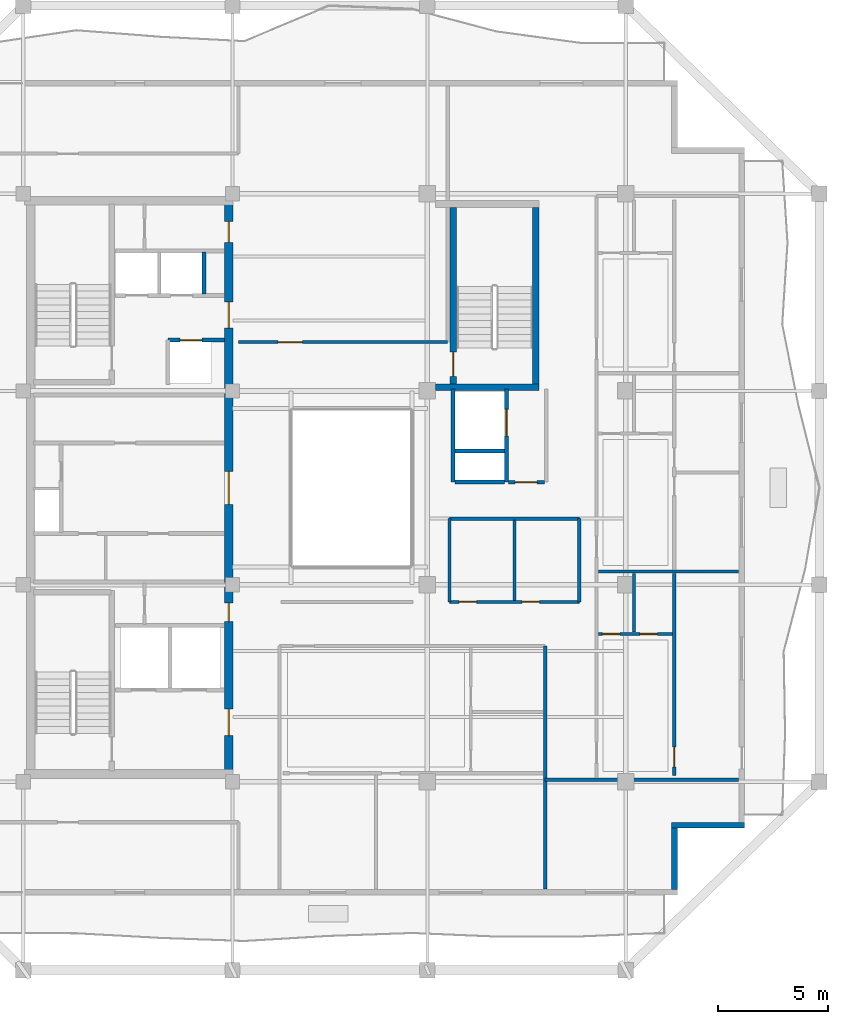
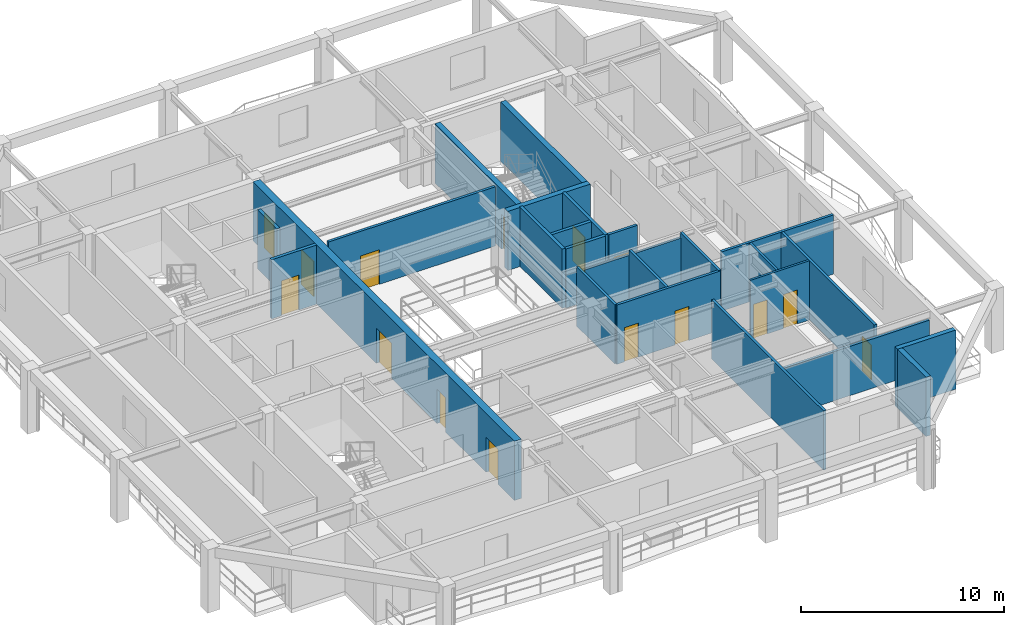
# One storey, part 4 of 10: 25 walls, 15 doors, 15 openings.
"""IFC4 building model written with IfcOpenShell, lengths in metres."""

from ifc_helpers import new_model, si_unit, direction, frame, frame_2d, origin, place, context, subcontext, project, spatial, rectangle, extrude, material, layer, layer_set, type_object, element, fill, save


model = new_model("IFC4")

# Units and contexts
model_context = context("Model", 3, precision=1e-05, world=origin(), true_north=direction((0.0, 1.0)))
body_context = subcontext(model_context, "Body", "Model", "MODEL_VIEW")
ifc_project = project(units=[si_unit("LENGTHUNIT", "METRE"), si_unit("AREAUNIT", "SQUARE_METRE"), si_unit("VOLUMEUNIT", "CUBIC_METRE"), si_unit("PLANEANGLEUNIT", "RADIAN"), si_unit("MASSUNIT", "GRAM", prefix="KILO")], contexts=[model_context])

# Site, building, storey
site_placement = place(None, origin())
site = spatial("IfcSite", under=ifc_project, at=site_placement, CompositionType="ELEMENT")
building_placement = place(site_placement, origin())
building = spatial("IfcBuilding", under=site, at=building_placement, Name="Kundavana Baori Tower", CompositionType="ELEMENT")
storey_placement = place(building_placement, frame((0.0, 0.0, 312.5)))
storey = spatial("IfcBuildingStorey", under=building, at=storey_placement, Name="L77", CompositionType="ELEMENT", Elevation=312.5)

# Wall, openings, doors
ifc_material_1 = material(Name="Concrete C50/60", Category="concrete")
ifc_layer_1 = layer(ifc_material_1, 0.39990234375, Name="WL-CORE-400")
ifc_layer_set_1 = layer_set([ifc_layer_1], Name="Concrete C50/60")
wall_type_1 = type_object("IfcWallType", Name="WL-CORE-400", PredefinedType="SHEAR", material=ifc_layer_set_1)
wall_1_placement = place(storey_placement, frame((24.780029296875, 15.739990234375, 0.0), z_axis=(0.0, 0.0, 1.0), x_axis=(0.0, 1.0, 0.0)))
wall_1 = element("IfcWall", 1, at=wall_1_placement, inside=storey, type_object=wall_type_1, Name="L77 Offset Core East Shear Wall", PredefinedType="SHEAR", context=body_context, shape_type="SweptSolid", body=[
    extrude(rectangle(XDim=25.760009765625, YDim=0.39990234375, at=frame_2d((12.8798828125, 0.0))), origin(), (0.0, 0.0, 1.0), 3.56005859375),
])
opening_1_placement = place(wall_1_placement, frame((1.610107421875, 0.0, 0.0)))
opening_1 = element("IfcOpeningElement", 2, at=opening_1_placement, cuts=wall_1, Name="Opening FD-120", PredefinedType="OPENING", context=body_context, shape_type="SweptSolid", body=[
    extrude(rectangle(XDim=1.199951171875, YDim=2.10009765625, at=frame_2d((0.60009765625, 1.050048828125))), frame((0.0, 0.2099609375, 0.0), z_axis=(0.0, -1.0, 0.0), x_axis=(1.0, 0.0, 0.0)), (0.0, 0.0, 1.0), 0.419921875),
])
opening_2_placement = place(wall_1_placement, frame((6.780029296875, 0.0, 0.0)))
opening_2 = element("IfcOpeningElement", 3, at=opening_2_placement, cuts=wall_1, Name="Opening FD-085", PredefinedType="OPENING", context=body_context, shape_type="SweptSolid", body=[
    extrude(rectangle(XDim=0.85009765625, YDim=2.06005859375, at=frame_2d((0.425048828125, 1.030029296875))), frame((0.0, 0.2099609375, 0.0), z_axis=(0.0, -1.0, 0.0), x_axis=(1.0, 0.0, 0.0)), (0.0, 0.0, 1.0), 0.419921875),
])
opening_3_placement = place(wall_1_placement, frame((12.110107421875, 0.0, 0.0)))
opening_3 = element("IfcOpeningElement", 4, at=opening_3_placement, cuts=wall_1, Name="Opening FD-150", PredefinedType="OPENING", context=body_context, shape_type="SweptSolid", body=[
    extrude(rectangle(XDim=1.5, YDim=2.1201171875, at=frame_2d((0.75, 1.06005859375))), frame((0.0, 0.2099609375, 0.0), z_axis=(0.0, -1.0, 0.0), x_axis=(1.0, 0.0, 0.0)), (0.0, 0.0, 1.0), 0.419921875),
])
opening_4_placement = place(wall_1_placement, frame((20.110107421875, 0.0, 0.0)))
opening_4 = element("IfcOpeningElement", 5, at=opening_4_placement, cuts=wall_1, Name="Opening FD-122", PredefinedType="OPENING", context=body_context, shape_type="SweptSolid", body=[
    extrude(rectangle(XDim=1.199951171875, YDim=2.1201171875, at=frame_2d((0.60009765625, 1.06005859375))), frame((0.0, 0.2099609375, 0.0), z_axis=(0.0, -1.0, 0.0), x_axis=(1.0, 0.0, 0.0)), (0.0, 0.0, 1.0), 0.419921875),
])
opening_5_placement = place(wall_1_placement, frame((24.010009765625, 0.0, 0.0)))
opening_5 = element("IfcOpeningElement", 6, at=opening_5_placement, cuts=wall_1, Name="Opening FD-095", PredefinedType="OPENING", context=body_context, shape_type="SweptSolid", body=[
    extrude(rectangle(XDim=0.949951171875, YDim=2.10009765625, at=frame_2d((0.47509765625, 1.050048828125))), frame((0.0, 0.2099609375, 0.0), z_axis=(0.0, -1.0, 0.0), x_axis=(1.0, 0.0, 0.0)), (0.0, 0.0, 1.0), 0.419921875),
])
ifc_material_2 = material(Name="Galvanised Steel Fire-Rated Door Leaf", Category="steel")
door_type_1 = type_object("IfcDoorType", Name="DR-FD120-1200", OperationType="NOTDEFINED", PredefinedType="DOOR", material=ifc_material_2)
door_1_placement = place(opening_1_placement, frame((1.199951171875, 0.0, 0.0), z_axis=(0.0, 0.0, 1.0), x_axis=(-1.0, 0.0, 0.0)))
door_1 = element("IfcDoor", 7, at=door_1_placement, inside=storey, type_object=door_type_1, Name="DR-L77-FFLOB-E", OperationType="SINGLE_SWING_RIGHT", OverallHeight=2.10009765625, OverallWidth=1.199951171875, PredefinedType="DOOR", context=body_context, shape_type="SweptSolid", body=[
    extrude(rectangle(XDim=1.199951171875, YDim=2.10009765625, at=frame_2d((0.60009765625, 1.050048828125))), frame((0.0, 0.02490234375, 0.0), z_axis=(0.0, -1.0, 0.0), x_axis=(1.0, 0.0, 0.0)), (0.0, 0.0, 1.0), 0.050048828125),
])
fill(opening_1, door_1)
ifc_material_3 = material(Name="Galvanised Steel Fire-Rated Door Leaf", Category="steel")
door_type_2 = type_object("IfcDoorType", Name="DR-FD60-1200", OperationType="NOTDEFINED", PredefinedType="DOOR", material=ifc_material_3)
door_2_placement = place(opening_4_placement, frame((1.199951171875, 0.0, 0.0), z_axis=(0.0, 0.0, 1.0), x_axis=(-1.0, 0.0, 0.0)))
door_2 = element("IfcDoor", 8, at=door_2_placement, inside=storey, type_object=door_type_2, Name="DR-L77-HRLOB-E", OperationType="SINGLE_SWING_RIGHT", OverallHeight=2.1201171875, OverallWidth=1.199951171875, PredefinedType="DOOR", context=body_context, shape_type="SweptSolid", body=[
    extrude(rectangle(XDim=1.199951171875, YDim=2.1201171875, at=frame_2d((0.60009765625, 1.06005859375))), frame((0.0, 0.02490234375, 0.0), z_axis=(0.0, -1.0, 0.0), x_axis=(1.0, 0.0, 0.0)), (0.0, 0.0, 1.0), 0.050048828125),
])
fill(opening_4, door_2)
ifc_material_4 = material(Name="Galvanised Steel Fire-Rated Door Leaf", Category="steel")
door_type_3 = type_object("IfcDoorType", Name="DR-FD60-1500", OperationType="NOTDEFINED", PredefinedType="DOOR", material=ifc_material_4)
door_3_placement = place(opening_3_placement, frame((1.5, 0.0, 0.0), z_axis=(0.0, 0.0, 1.0), x_axis=(-1.0, 0.0, 0.0)))
door_3 = element("IfcDoor", 9, at=door_3_placement, inside=storey, type_object=door_type_3, Name="DR-L77-LIFTHALL-E", OperationType="SINGLE_SWING_LEFT", OverallHeight=2.1201171875, OverallWidth=1.5, PredefinedType="DOOR", context=body_context, shape_type="SweptSolid", body=[
    extrude(rectangle(XDim=1.5, YDim=2.1201171875, at=frame_2d((0.75, 1.06005859375))), frame((0.0, 0.02490234375, 0.0), z_axis=(0.0, -1.0, 0.0), x_axis=(1.0, 0.0, 0.0)), (0.0, 0.0, 1.0), 0.050048828125),
])
fill(opening_3, door_3)
ifc_material_5 = material(Name="Galvanised Steel Fire-Rated Door Leaf", Category="steel")
door_type_4 = type_object("IfcDoorType", Name="DR-FD60-850", OperationType="NOTDEFINED", PredefinedType="DOOR", material=ifc_material_5)
door_4_placement = place(opening_2_placement, frame((0.85009765625, 0.0, 0.0), z_axis=(0.0, 0.0, 1.0), x_axis=(-1.0, 0.0, 0.0)))
door_4 = element("IfcDoor", 10, at=door_4_placement, inside=storey, type_object=door_type_4, Name="DR-L77-CSMK2", OperationType="SINGLE_SWING_LEFT", OverallHeight=2.06005859375, OverallWidth=0.85009765625, PredefinedType="DOOR", context=body_context, shape_type="SweptSolid", body=[
    extrude(rectangle(XDim=0.85009765625, YDim=2.06005859375, at=frame_2d((0.425048828125, 1.030029296875))), frame((0.0, 0.02490234375, 0.0), z_axis=(0.0, -1.0, 0.0), x_axis=(1.0, 0.0, 0.0)), (0.0, 0.0, 1.0), 0.050048828125),
])
fill(opening_2, door_4)
ifc_material_6 = material(Name="Engineered Teak Fire-Rated Timber Door Leaf", Category="wood")
door_type_5 = type_object("IfcDoorType", Name="DR-FD60-950", OperationType="NOTDEFINED", PredefinedType="DOOR", material=ifc_material_6)
door_5_placement = place(opening_5_placement, frame((0.949951171875, 0.0, 0.0), z_axis=(0.0, 0.0, 1.0), x_axis=(-1.0, 0.0, 0.0)))
door_5 = element("IfcDoor", 11, at=door_5_placement, inside=storey, type_object=door_type_5, Name="DR-L77-CSRV2", OperationType="SINGLE_SWING_LEFT", OverallHeight=2.10009765625, OverallWidth=0.949951171875, PredefinedType="DOOR", context=body_context, shape_type="SweptSolid", body=[
    extrude(rectangle(XDim=0.949951171875, YDim=2.10009765625, at=frame_2d((0.47509765625, 1.050048828125))), frame((0.0, 0.02490234375, 0.0), z_axis=(0.0, -1.0, 0.0), x_axis=(1.0, 0.0, 0.0)), (0.0, 0.0, 1.0), 0.050048828125),
])
fill(opening_5, door_5)

# Walls
ifc_material_7 = material(Name="Kiln-Fired Terracotta Brick-Slip Masonry on Concrete C40/50", Category="masonry")
ifc_layer_2 = layer(ifc_material_7, 0.260009765625, Name="WL-EXT-BRK-260")
ifc_layer_set_2 = layer_set([ifc_layer_2], Name="Kiln-Fired Terracotta Brick-Slip Masonry on Concrete C40/50")
wall_type_2 = type_object("IfcWallType", Name="WL-EXT-BRK-260", PredefinedType="SOLIDWALL", material=ifc_layer_set_2)
wall_2_placement = place(storey_placement, frame((45.02001953125, 10.360107421875, 0.0), z_axis=(0.0, 0.0, 1.0), x_axis=(0.0, 1.0, 0.0)))
element("IfcWall", 12, at=wall_2_placement, inside=storey, type_object=wall_type_2, Name="L77 Exterior Insulated Facade Wall 02", PredefinedType="SOLIDWALL", context=body_context, shape_type="SweptSolid", body=[
    extrude(rectangle(XDim=2.789794921875, YDim=0.260009765625, at=frame_2d((1.39501953125, 0.0))), origin(), (0.0, 0.0, 1.0), 3.56005859375),
])
wall_3_placement = place(storey_placement, frame((44.889892578125, 13.280029296875, 0.0), z_axis=(0.0, 0.0, 1.0), x_axis=(1.0, 0.0, 0.0)))
element("IfcWall", 13, at=wall_3_placement, inside=storey, type_object=wall_type_2, Name="L77 Exterior Insulated Facade Wall 03", PredefinedType="SOLIDWALL", context=body_context, shape_type="SweptSolid", body=[
    extrude(rectangle(XDim=3.31005859375, YDim=0.260009765625, at=frame_2d((1.655029296875, 0.0))), origin(), (0.0, 0.0, 1.0), 3.56005859375),
])

# Wall, opening, door
ifc_material_8 = material(Name="Fire-Rated Gypsum Drywall on Galvanised Steel Studs", Category="steel")
ifc_layer_3 = layer(ifc_material_8, 0.14990234375, Name="WL-PART-150")
ifc_layer_set_3 = layer_set([ifc_layer_3], Name="Fire-Rated Gypsum Drywall on Galvanised Steel Studs")
wall_type_3 = type_object("IfcWallType", Name="WL-PART-150", PredefinedType="PARTITIONING", material=ifc_layer_set_3)
wall_4_placement = place(storey_placement, frame((37.47998046875, 28.860107421875, 0.0), z_axis=(0.0, 0.0, 1.0), x_axis=(1.0, 0.0, 0.0)))
wall_4 = element("IfcWall", 14, at=wall_4_placement, inside=storey, type_object=wall_type_3, Name="WL-L77-SVLOB-S", PredefinedType="PARTITIONING", context=body_context, shape_type="SweptSolid", body=[
    extrude(rectangle(XDim=1.64013671875, YDim=0.14990234375, at=frame_2d((0.820068359375, 0.0))), origin(), (0.0, 0.0, 1.0), 3.56005859375),
])
opening_6_placement = place(wall_4_placement, frame((0.300048828125, 0.0, 0.0)))
opening_6 = element("IfcOpeningElement", 15, at=opening_6_placement, cuts=wall_4, Name="Opening FD-100", PredefinedType="OPENING", context=body_context, shape_type="SweptSolid", body=[
    extrude(rectangle(XDim=1.0, YDim=2.10009765625, at=frame_2d((0.5, 1.050048828125))), frame((0.0, 0.0849609375, 0.0), z_axis=(0.0, -1.0, 0.0), x_axis=(1.0, 0.0, 0.0)), (0.0, 0.0, 1.0), 0.169921875),
])
ifc_material_9 = material(Name="Engineered Teak Fire-Rated Timber Door Leaf", Category="wood")
door_type_6 = type_object("IfcDoorType", Name="DR-FD60-1000", OperationType="NOTDEFINED", PredefinedType="DOOR", material=ifc_material_9)
door_6_placement = place(opening_6_placement, origin())
door_6 = element("IfcDoor", 16, at=door_6_placement, inside=storey, type_object=door_type_6, Name="DR-L77-SVLOB-OUT", OperationType="SINGLE_SWING_LEFT", OverallHeight=2.10009765625, OverallWidth=1.0, PredefinedType="DOOR", context=body_context, shape_type="SweptSolid", body=[
    extrude(rectangle(XDim=1.0, YDim=2.10009765625, at=frame_2d((0.5, 1.050048828125))), frame((0.0, 0.02490234375, 0.0), z_axis=(0.0, -1.0, 0.0), x_axis=(1.0, 0.0, 0.0)), (0.0, 0.0, 1.0), 0.050048828125),
])
fill(opening_6, door_6)

wall_5_placement = place(storey_placement, frame((25.219970703125, 35.219970703125, 0.0), z_axis=(0.0, 0.0, 1.0), x_axis=(1.0, 0.0, 0.0)))
wall_5 = element("IfcWall", 17, at=wall_5_placement, inside=storey, type_object=wall_type_3, Name="WL-L77-RN", PredefinedType="PARTITIONING", context=body_context, shape_type="SweptSolid", body=[
    extrude(rectangle(XDim=9.5, YDim=0.14990234375, at=frame_2d((4.75, 0.0))), origin(), (0.0, 0.0, 1.0), 3.56005859375),
])
opening_7_placement = place(wall_5_placement, frame((1.800048828125, 0.0, 0.0)))
opening_7 = element("IfcOpeningElement", 18, at=opening_7_placement, cuts=wall_5, Name="Opening ID-110", PredefinedType="OPENING", context=body_context, shape_type="SweptSolid", body=[
    extrude(rectangle(XDim=1.10009765625, YDim=2.080078125, at=frame_2d((0.550048828125, 1.0400390625))), frame((0.0, 0.0849609375, 0.0), z_axis=(0.0, -1.0, 0.0), x_axis=(1.0, 0.0, 0.0)), (0.0, 0.0, 1.0), 0.169921875),
])
ifc_material_10 = material(Name="Engineered Teak Solid-Core Timber Veneer", Category="wood")
door_type_7 = type_object("IfcDoorType", Name="DR-INT-1100", OperationType="NOTDEFINED", PredefinedType="DOOR", material=ifc_material_10)
door_7_placement = place(opening_7_placement, origin())
door_7 = element("IfcDoor", 19, at=door_7_placement, inside=storey, type_object=door_type_7, Name="DR-L77-RLNGN", OperationType="SINGLE_SWING_RIGHT", OverallHeight=2.080078125, OverallWidth=1.10009765625, PredefinedType="DOOR", context=body_context, shape_type="SweptSolid", body=[
    extrude(rectangle(XDim=1.10009765625, YDim=2.080078125, at=frame_2d((0.550048828125, 1.0400390625))), frame((0.0, 0.02490234375, 0.0), z_axis=(0.0, -1.0, 0.0), x_axis=(1.0, 0.0, 0.0)), (0.0, 0.0, 1.0), 0.050048828125),
])
fill(opening_7, door_7)

# Walls
wall_6_placement = place(storey_placement, frame((39.14990234375, 10.3798828125, 0.0), z_axis=(0.0, 0.0, 1.0), x_axis=(0.0, 1.0, 0.0)))
element("IfcWall", 20, at=wall_6_placement, inside=storey, type_object=wall_type_3, Name="WL-L77-RSEND", PredefinedType="PARTITIONING", context=body_context, shape_type="SweptSolid", body=[
    extrude(rectangle(XDim=11.0400390625, YDim=0.14990234375, at=frame_2d((5.52001953125, 0.0))), origin(), (0.0, 0.0, 1.0), 3.56005859375),
])
wall_7_placement = place(storey_placement, frame((39.14990234375, 15.35009765625, 0.0), z_axis=(0.0, 0.0, 1.0), x_axis=(1.0, 0.0, 0.0)))
element("IfcWall", 21, at=wall_7_placement, inside=storey, type_object=wall_type_3, Name="WL-L77-RES", PredefinedType="PARTITIONING", context=body_context, shape_type="SweptSolid", body=[
    extrude(rectangle(XDim=8.77001953125, YDim=0.14990234375, at=frame_2d((4.385009765625, 0.0))), origin(), (0.0, 0.0, 1.0), 2.9599609375),
])

# Wall, opening, door
wall_8_placement = place(storey_placement, frame((45.00390625, 15.530029296875, 0.0), z_axis=(0.0, 0.0, 1.0), x_axis=(0.0, 1.0, 0.0)))
wall_8 = element("IfcWall", 22, at=wall_8_placement, inside=storey, type_object=wall_type_3, Name="WL-L77-E1-VT", PredefinedType="PARTITIONING", context=body_context, shape_type="SweptSolid", body=[
    extrude(rectangle(XDim=9.18994140625, YDim=0.14990234375, at=frame_2d((4.594970703125, 0.0))), origin(), (0.0, 0.0, 1.0), 3.56005859375),
])
opening_8_placement = place(wall_8_placement, frame((0.39990234375, 0.0, 0.0)))
opening_8 = element("IfcOpeningElement", 23, at=opening_8_placement, cuts=wall_8, Name="Opening ID-090", PredefinedType="OPENING", context=body_context, shape_type="SweptSolid", body=[
    extrude(rectangle(XDim=0.89990234375, YDim=2.080078125, at=frame_2d((0.449951171875, 1.0400390625))), frame((0.0, 0.0849609375, 0.0), z_axis=(0.0, -1.0, 0.0), x_axis=(1.0, 0.0, 0.0)), (0.0, 0.0, 1.0), 0.169921875),
])
ifc_material_11 = material(Name="Engineered Teak Solid-Core Timber Veneer", Category="wood")
door_type_8 = type_object("IfcDoorType", Name="DR-INT-900", OperationType="NOTDEFINED", PredefinedType="DOOR", material=ifc_material_11)
door_8_placement = place(opening_8_placement, origin())
door_8 = element("IfcDoor", 24, at=door_8_placement, inside=storey, type_object=door_type_8, Name="DR-L77-E1-B1", OperationType="SINGLE_SWING_LEFT", OverallHeight=2.080078125, OverallWidth=0.89990234375, PredefinedType="DOOR", context=body_context, shape_type="SweptSolid", body=[
    extrude(rectangle(XDim=0.89990234375, YDim=2.080078125, at=frame_2d((0.449951171875, 1.0400390625))), frame((0.0, 0.02490234375, 0.0), z_axis=(0.0, -1.0, 0.0), x_axis=(1.0, 0.0, 0.0)), (0.0, 0.0, 1.0), 0.050048828125),
])
fill(opening_8, door_8)

# Wall
wall_9_placement = place(storey_placement, frame((41.56005859375, 24.800048828125, 0.0), z_axis=(0.0, 0.0, 1.0), x_axis=(1.0, 0.0, 0.0)))
element("IfcWall", 25, at=wall_9_placement, inside=storey, type_object=wall_type_3, Name="WL-L77-RED1", PredefinedType="PARTITIONING", context=body_context, shape_type="SweptSolid", body=[
    extrude(rectangle(XDim=6.35986328125, YDim=0.14990234375, at=frame_2d((3.179931640625, 0.0))), origin(), (0.0, 0.0, 1.0), 3.56005859375),
])

# Wall, openings, doors
wall_10_placement = place(storey_placement, frame((34.800048828125, 23.419921875, 0.0), z_axis=(0.0, 0.0, 1.0), x_axis=(1.0, 0.0, 0.0)))
wall_10 = element("IfcWall", 26, at=wall_10_placement, inside=storey, type_object=wall_type_3, Name="WL-L77-ALS", PredefinedType="PARTITIONING", context=body_context, shape_type="SweptSolid", body=[
    extrude(rectangle(XDim=5.89990234375, YDim=0.14990234375, at=frame_2d((2.949951171875, 0.0))), origin(), (0.0, 0.0, 1.0), 3.56005859375),
])
opening_9_placement = place(wall_10_placement, frame((0.429931640625, 0.0, 0.0)))
opening_9 = element("IfcOpeningElement", 27, at=opening_9_placement, cuts=wall_10, Name="Opening WD-080", PredefinedType="OPENING", context=body_context, shape_type="SweptSolid", body=[
    extrude(rectangle(XDim=0.800048828125, YDim=2.050048828125, at=frame_2d((0.39990234375, 1.02490234375))), frame((0.0, 0.0849609375, 0.0), z_axis=(0.0, -1.0, 0.0), x_axis=(1.0, 0.0, 0.0)), (0.0, 0.0, 1.0), 0.169921875),
])
opening_10_placement = place(wall_10_placement, frame((3.300048828125, 0.0, 0.0)))
opening_10 = element("IfcOpeningElement", 28, at=opening_10_placement, cuts=wall_10, Name="Opening WD-080", PredefinedType="OPENING", context=body_context, shape_type="SweptSolid", body=[
    extrude(rectangle(XDim=0.800048828125, YDim=2.050048828125, at=frame_2d((0.39990234375, 1.02490234375))), frame((0.0, 0.0849609375, 0.0), z_axis=(0.0, -1.0, 0.0), x_axis=(1.0, 0.0, 0.0)), (0.0, 0.0, 1.0), 0.169921875),
])
ifc_material_12 = material(Name="Engineered Teak Solid-Core Timber Veneer", Category="wood")
door_type_9 = type_object("IfcDoorType", Name="DR-WET-800", OperationType="NOTDEFINED", PredefinedType="DOOR", material=ifc_material_12)
door_9_placement = place(opening_9_placement, origin())
door_9 = element("IfcDoor", 29, at=door_9_placement, inside=storey, type_object=door_type_9, Name="DR-L77-RALC1", OperationType="SINGLE_SWING_LEFT", OverallHeight=2.050048828125, OverallWidth=0.800048828125, PredefinedType="DOOR", context=body_context, shape_type="SweptSolid", body=[
    extrude(rectangle(XDim=0.800048828125, YDim=2.050048828125, at=frame_2d((0.39990234375, 1.02490234375))), frame((0.0, 0.02490234375, 0.0), z_axis=(0.0, -1.0, 0.0), x_axis=(1.0, 0.0, 0.0)), (0.0, 0.0, 1.0), 0.050048828125),
])
fill(opening_9, door_9)
door_10_placement = place(opening_10_placement, origin())
door_10 = element("IfcDoor", 30, at=door_10_placement, inside=storey, type_object=door_type_9, Name="DR-L77-RALC2", OperationType="SINGLE_SWING_LEFT", OverallHeight=2.050048828125, OverallWidth=0.800048828125, PredefinedType="DOOR", context=body_context, shape_type="SweptSolid", body=[
    extrude(rectangle(XDim=0.800048828125, YDim=2.050048828125, at=frame_2d((0.39990234375, 1.02490234375))), frame((0.0, 0.02490234375, 0.0), z_axis=(0.0, -1.0, 0.0), x_axis=(1.0, 0.0, 0.0)), (0.0, 0.0, 1.0), 0.050048828125),
])
fill(opening_10, door_10)

# Walls
wall_11_placement = place(storey_placement, frame((34.800048828125, 27.199951171875, 0.0), z_axis=(0.0, 0.0, 1.0), x_axis=(1.0, 0.0, 0.0)))
element("IfcWall", 31, at=wall_11_placement, inside=storey, type_object=wall_type_3, Name="WL-L77-ALN", PredefinedType="PARTITIONING", context=body_context, shape_type="SweptSolid", body=[
    extrude(rectangle(XDim=5.89990234375, YDim=0.14990234375, at=frame_2d((2.949951171875, 0.0))), origin(), (0.0, 0.0, 1.0), 3.260009765625),
])
for number, where, z_axis, x_axis, name in (
    (32, (34.800048828125, 23.419921875, 0.0), (0.0, 0.0, 1.0), (0.0, 1.0, 0.0), "WL-L77-ALW"),
    (33, (40.699951171875, 23.419921875, 0.0), (0.0, 0.0, 1.0), (0.0, 1.0, 0.0), "WL-L77-ALE"),
):
    element("IfcWall", number, at=place(storey_placement, frame(where, z_axis=z_axis, x_axis=x_axis)), inside=storey, type_object=wall_type_3, Name=name, PredefinedType="PARTITIONING", context=body_context, shape_type="SweptSolid", body=[
        extrude(rectangle(XDim=3.780029296875, YDim=0.14990234375, at=frame_2d((1.89013671875, 0.0))), origin(), (0.0, 0.0, 1.0), 3.56005859375),
    ])
wall_12_placement = place(storey_placement, frame((37.75, 23.47998046875, 0.0), z_axis=(0.0, 0.0, 1.0), x_axis=(0.0, 1.0, 0.0)))
element("IfcWall", 34, at=wall_12_placement, inside=storey, type_object=wall_type_3, Name="WL-L77-ALD1", PredefinedType="PARTITIONING", context=body_context, shape_type="SweptSolid", body=[
    extrude(rectangle(XDim=3.659912109375, YDim=0.14990234375, at=frame_2d((1.830078125, 0.0))), origin(), (0.0, 0.0, 1.0), 3.56005859375),
])

# Wall, opening, door
ifc_material_13 = material(Name="Autoclaved Aerated Concrete Blockwork Masonry", Category="masonry")
ifc_layer_4 = layer(ifc_material_13, 0.179931640625, Name="WL-SHAFT-180")
ifc_layer_set_4 = layer_set([ifc_layer_4], Name="Autoclaved Aerated Concrete Blockwork Masonry")
wall_type_4 = type_object("IfcWallType", Name="WL-SHAFT-180", PredefinedType="SOLIDWALL", material=ifc_layer_set_4)
wall_13_placement = place(storey_placement, frame((22.02001953125, 35.31005859375, 0.0), z_axis=(0.0, 0.0, 1.0), x_axis=(1.0, 0.0, 0.0)))
wall_13 = element("IfcWall", 35, at=wall_13_placement, inside=storey, type_object=wall_type_4, Name="WL-L77-LP11-N", PredefinedType="SOLIDWALL", context=body_context, shape_type="SweptSolid", body=[
    extrude(rectangle(XDim=2.56005859375, YDim=0.179931640625, at=frame_2d((1.280029296875, 0.0))), origin(), (0.0, 0.0, 1.0), 3.56005859375),
])
opening_11_placement = place(wall_13_placement, frame((0.550048828125, 0.0, 0.0)))
opening_11 = element("IfcOpeningElement", 36, at=opening_11_placement, cuts=wall_13, Name="Opening LD-100", PredefinedType="OPENING", context=body_context, shape_type="SweptSolid", body=[
    extrude(rectangle(XDim=1.0, YDim=2.10009765625, at=frame_2d((0.5, 1.050048828125))), frame((0.0, 0.10009765625, 0.0), z_axis=(0.0, -1.0, 0.0), x_axis=(1.0, 0.0, 0.0)), (0.0, 0.0, 1.0), 0.199951171875),
])
ifc_material_14 = material(Name="Galvanised Steel Fire-Rated Door Leaf", Category="steel")
door_type_10 = type_object("IfcDoorType", Name="DR-SLIDE-LD1000", OperationType="NOTDEFINED", PredefinedType="DOOR", material=ifc_material_14)
door_11_placement = place(opening_11_placement, origin())
door_11 = element("IfcDoor", 37, at=door_11_placement, inside=storey, type_object=door_type_10, Name="DR-L77-LD-LP11", OperationType="DOUBLE_DOOR_SLIDING", OverallHeight=2.10009765625, OverallWidth=1.0, PredefinedType="DOOR", context=body_context, shape_type="SweptSolid", body=[
    extrude(rectangle(XDim=1.0, YDim=2.10009765625, at=frame_2d((0.5, 1.050048828125))), frame((0.0, 0.02490234375, 0.0), z_axis=(0.0, -1.0, 0.0), x_axis=(1.0, 0.0, 0.0)), (0.0, 0.0, 1.0), 0.050048828125),
])
fill(opening_11, door_11)

# Walls
wall_14_placement = place(storey_placement, frame((23.659912109375, 37.39990234375, 0.0), z_axis=(0.0, 0.0, 1.0), x_axis=(0.0, 1.0, 0.0)))
element("IfcWall", 38, at=wall_14_placement, inside=storey, type_object=wall_type_4, Name="WL-L77-HR-DIV2", PredefinedType="SOLIDWALL", context=body_context, shape_type="SweptSolid", body=[
    extrude(rectangle(XDim=1.900146484375, YDim=0.179931640625, at=frame_2d((0.9501953125, 0.0))), origin(), (0.0, 0.0, 1.0), 3.56005859375),
])
wall_15_placement = place(storey_placement, frame((34.9599609375, 28.860107421875, 0.0), z_axis=(0.0, 0.0, 1.0), x_axis=(0.0, 1.0, 0.0)))
element("IfcWall", 39, at=wall_15_placement, inside=storey, type_object=wall_type_4, Name="WL-L77-SVL-W", PredefinedType="SOLIDWALL", context=body_context, shape_type="SweptSolid", body=[
    extrude(rectangle(XDim=4.219970703125, YDim=0.179931640625, at=frame_2d((2.10986328125, 0.0))), origin(), (0.0, 0.0, 1.0), 3.56005859375),
])

# Wall, opening, door
wall_16_placement = place(storey_placement, frame((37.389892578125, 28.860107421875, 0.0), z_axis=(0.0, 0.0, 1.0), x_axis=(0.0, 1.0, 0.0)))
wall_16 = element("IfcWall", 40, at=wall_16_placement, inside=storey, type_object=wall_type_4, Name="WL-L77-SVL-E", PredefinedType="SOLIDWALL", context=body_context, shape_type="SweptSolid", body=[
    extrude(rectangle(XDim=4.219970703125, YDim=0.179931640625, at=frame_2d((2.10986328125, 0.0))), origin(), (0.0, 0.0, 1.0), 3.56005859375),
])
opening_12_placement = place(wall_16_placement, frame((2.10009765625, 0.0, 0.0)))
opening_12 = element("IfcOpeningElement", 41, at=opening_12_placement, cuts=wall_16, Name="Opening LD-120", PredefinedType="OPENING", context=body_context, shape_type="SweptSolid", body=[
    extrude(rectangle(XDim=1.199951171875, YDim=2.1201171875, at=frame_2d((0.60009765625, 1.06005859375))), frame((0.0, 0.10009765625, 0.0), z_axis=(0.0, -1.0, 0.0), x_axis=(1.0, 0.0, 0.0)), (0.0, 0.0, 1.0), 0.199951171875),
])
ifc_material_15 = material(Name="Galvanised Steel Fire-Rated Door Leaf", Category="steel")
door_type_11 = type_object("IfcDoorType", Name="DR-SLIDE-LD1200", OperationType="NOTDEFINED", PredefinedType="DOOR", material=ifc_material_15)
door_12_placement = place(opening_12_placement, frame((1.199951171875, 0.0, 0.0), z_axis=(0.0, 0.0, 1.0), x_axis=(-1.0, 0.0, 0.0)))
door_12 = element("IfcDoor", 42, at=door_12_placement, inside=storey, type_object=door_type_11, Name="DR-L77-LD-SVL1", OperationType="DOUBLE_DOOR_SLIDING", OverallHeight=2.1201171875, OverallWidth=1.199951171875, PredefinedType="DOOR", context=body_context, shape_type="SweptSolid", body=[
    extrude(rectangle(XDim=1.199951171875, YDim=2.1201171875, at=frame_2d((0.60009765625, 1.06005859375))), frame((0.0, 0.02490234375, 0.0), z_axis=(0.0, -1.0, 0.0), x_axis=(1.0, 0.0, 0.0)), (0.0, 0.0, 1.0), 0.050048828125),
])
fill(opening_12, door_12)

# Walls
for number, where, z_axis, x_axis, name in (
    (43, (35.050048828125, 28.860107421875, 0.0), (0.0, 0.0, 1.0), (1.0, 0.0, 0.0), "WL-L77-SVL-S"),
    (44, (35.050048828125, 30.27001953125, 0.0), (0.0, 0.0, 1.0), (1.0, 0.0, 0.0), "WL-L77-SVL-M"),
):
    element("IfcWall", number, at=place(storey_placement, frame(where, z_axis=z_axis, x_axis=x_axis)), inside=storey, type_object=wall_type_4, Name=name, PredefinedType="SOLIDWALL", context=body_context, shape_type="SweptSolid", body=[
        extrude(rectangle(XDim=2.25, YDim=0.179931640625, at=frame_2d((1.125, 0.0))), origin(), (0.0, 0.0, 1.0), 3.56005859375),
    ])
ifc_material_16 = material(Name="Concrete C50/60", Category="concrete")
ifc_layer_5 = layer(ifc_material_16, 0.300048828125, Name="WL-ST3-300")
ifc_layer_set_5 = layer_set([ifc_layer_5], Name="Concrete C50/60")
wall_type_5 = type_object("IfcWallType", Name="WL-ST3-300", PredefinedType="SHEAR", material=ifc_layer_set_5)
wall_17_placement = place(storey_placement, frame((34.175048828125, 33.159912109375, 0.0), z_axis=(0.0, 0.0, 1.0), x_axis=(1.0, 0.0, 0.0)))
element("IfcWall", 45, at=wall_17_placement, inside=storey, type_object=wall_type_5, Name="L77 Stair ST3 South Shear Wall", PredefinedType="SHEAR", context=body_context, shape_type="SweptSolid", body=[
    extrude(rectangle(XDim=4.695068359375, YDim=0.300048828125, at=frame_2d((2.34765625, 0.0))), origin(), (0.0, 0.0, 1.0), 3.56005859375),
])

# Wall, opening, door
wall_18_placement = place(storey_placement, frame((34.97998046875, 33.31005859375, 0.0), z_axis=(0.0, 0.0, 1.0), x_axis=(0.0, 1.0, 0.0)))
wall_18 = element("IfcWall", 46, at=wall_18_placement, inside=storey, type_object=wall_type_5, Name="L77 Stair ST3 West Shear Wall", PredefinedType="SHEAR", context=body_context, shape_type="SweptSolid", body=[
    extrude(rectangle(XDim=8.030029296875, YDim=0.300048828125, at=frame_2d((4.01513671875, 0.0))), origin(), (0.0, 0.0, 1.0), 3.56005859375),
])
opening_13_placement = place(wall_18_placement, frame((0.35009765625, 0.0, 0.0)))
opening_13 = element("IfcOpeningElement", 47, at=opening_13_placement, cuts=wall_18, Name="Opening FD-110", PredefinedType="OPENING", context=body_context, shape_type="SweptSolid", body=[
    extrude(rectangle(XDim=1.10009765625, YDim=2.10009765625, at=frame_2d((0.550048828125, 1.050048828125))), frame((0.0, 0.16015625, 0.0), z_axis=(0.0, -1.0, 0.0), x_axis=(1.0, 0.0, 0.0)), (0.0, 0.0, 1.0), 0.320068359375),
])
ifc_material_17 = material(Name="Galvanised Steel Fire-Rated Door Leaf", Category="steel")
door_type_12 = type_object("IfcDoorType", Name="DR-FD120-1100", OperationType="NOTDEFINED", PredefinedType="DOOR", material=ifc_material_17)
door_13_placement = place(opening_13_placement, origin())
door_13 = element("IfcDoor", 48, at=door_13_placement, inside=storey, type_object=door_type_12, Name="DR-L77-ST3-W", OperationType="SINGLE_SWING_LEFT", OverallHeight=2.10009765625, OverallWidth=1.10009765625, PredefinedType="DOOR", context=body_context, shape_type="SweptSolid", body=[
    extrude(rectangle(XDim=1.10009765625, YDim=2.10009765625, at=frame_2d((0.550048828125, 1.050048828125))), frame((0.0, 0.02490234375, 0.0), z_axis=(0.0, -1.0, 0.0), x_axis=(1.0, 0.0, 0.0)), (0.0, 0.0, 1.0), 0.050048828125),
])
fill(opening_13, door_13)

# Wall
wall_19_placement = place(storey_placement, frame((38.719970703125, 33.31005859375, 0.0), z_axis=(0.0, 0.0, 1.0), x_axis=(0.0, 1.0, 0.0)))
element("IfcWall", 49, at=wall_19_placement, inside=storey, type_object=wall_type_5, Name="L77 Stair ST3 East Shear Wall", PredefinedType="SHEAR", context=body_context, shape_type="SweptSolid", body=[
    extrude(rectangle(XDim=8.030029296875, YDim=0.300048828125, at=frame_2d((4.01513671875, 0.0))), origin(), (0.0, 0.0, 1.0), 3.56005859375),
])

# Wall, openings, doors
ifc_material_18 = material(Name="Autoclaved Aerated Concrete Blockwork Masonry", Category="masonry")
ifc_layer_6 = layer(ifc_material_18, 0.125, Name="WL-WET-120")
ifc_layer_set_6 = layer_set([ifc_layer_6], Name="Autoclaved Aerated Concrete Blockwork Masonry")
wall_type_6 = type_object("IfcWallType", Name="WL-WET-120", PredefinedType="PLUMBINGWALL", material=ifc_layer_set_6)
wall_20_placement = place(storey_placement, frame((41.580078125, 21.962890625, 0.0), z_axis=(0.0, 0.0, 1.0), x_axis=(1.0, 0.0, 0.0)))
wall_20 = element("IfcWall", 50, at=wall_20_placement, inside=storey, type_object=wall_type_6, Name="WL-L77-E1-KH", PredefinedType="PLUMBINGWALL", context=body_context, shape_type="SweptSolid", body=[
    extrude(rectangle(XDim=3.343994140625, YDim=0.125, at=frame_2d((1.671875, 0.0))), origin(), (0.0, 0.0, 1.0), 3.56005859375),
])
opening_14_placement = place(wall_20_placement, frame((0.159912109375, 0.0, 0.0)))
opening_14 = element("IfcOpeningElement", 51, at=opening_14_placement, cuts=wall_20, Name="Opening WD-080", PredefinedType="OPENING", context=body_context, shape_type="SweptSolid", body=[
    extrude(rectangle(XDim=0.800048828125, YDim=2.050048828125, at=frame_2d((0.39990234375, 1.02490234375))), frame((0.0, 0.072509765625, 0.0), z_axis=(0.0, -1.0, 0.0), x_axis=(1.0, 0.0, 0.0)), (0.0, 0.0, 1.0), 0.14501953125),
])
opening_15_placement = place(wall_20_placement, frame((1.864990234375, 0.0, 0.0)))
opening_15 = element("IfcOpeningElement", 52, at=opening_15_placement, cuts=wall_20, Name="Opening WD-080", PredefinedType="OPENING", context=body_context, shape_type="SweptSolid", body=[
    extrude(rectangle(XDim=0.800048828125, YDim=2.050048828125, at=frame_2d((0.39990234375, 1.02490234375))), frame((0.0, 0.072509765625, 0.0), z_axis=(0.0, -1.0, 0.0), x_axis=(1.0, 0.0, 0.0)), (0.0, 0.0, 1.0), 0.14501953125),
])
door_14_placement = place(opening_14_placement, origin())
door_14 = element("IfcDoor", 53, at=door_14_placement, inside=storey, type_object=door_type_9, Name="DR-L77-E1-BT", OperationType="SINGLE_SWING_LEFT", OverallHeight=2.050048828125, OverallWidth=0.800048828125, PredefinedType="DOOR", context=body_context, shape_type="SweptSolid", body=[
    extrude(rectangle(XDim=0.800048828125, YDim=2.050048828125, at=frame_2d((0.39990234375, 1.02490234375))), frame((0.0, 0.02490234375, 0.0), z_axis=(0.0, -1.0, 0.0), x_axis=(1.0, 0.0, 0.0)), (0.0, 0.0, 1.0), 0.050048828125),
])
fill(opening_14, door_14)
door_15_placement = place(opening_15_placement, origin())
door_15 = element("IfcDoor", 54, at=door_15_placement, inside=storey, type_object=door_type_9, Name="DR-L77-E1-KT", OperationType="SINGLE_SWING_RIGHT", OverallHeight=2.050048828125, OverallWidth=0.800048828125, PredefinedType="DOOR", context=body_context, shape_type="SweptSolid", body=[
    extrude(rectangle(XDim=0.800048828125, YDim=2.050048828125, at=frame_2d((0.39990234375, 1.02490234375))), frame((0.0, 0.02490234375, 0.0), z_axis=(0.0, -1.0, 0.0), x_axis=(1.0, 0.0, 0.0)), (0.0, 0.0, 1.0), 0.050048828125),
])
fill(opening_15, door_15)

# Wall
wall_21_placement = place(storey_placement, frame((43.18505859375, 22.04296875, 0.0), z_axis=(0.0, 0.0, 1.0), x_axis=(0.0, 1.0, 0.0)))
element("IfcWall", 55, at=wall_21_placement, inside=storey, type_object=wall_type_6, Name="WL-L77-E1-BV", PredefinedType="PLUMBINGWALL", context=body_context, shape_type="SweptSolid", body=[
    extrude(rectangle(XDim=2.677001953125, YDim=0.125, at=frame_2d((1.33837890625, 0.0))), origin(), (0.0, 0.0, 1.0), 3.56005859375),
])

save(model, "model.ifc")
